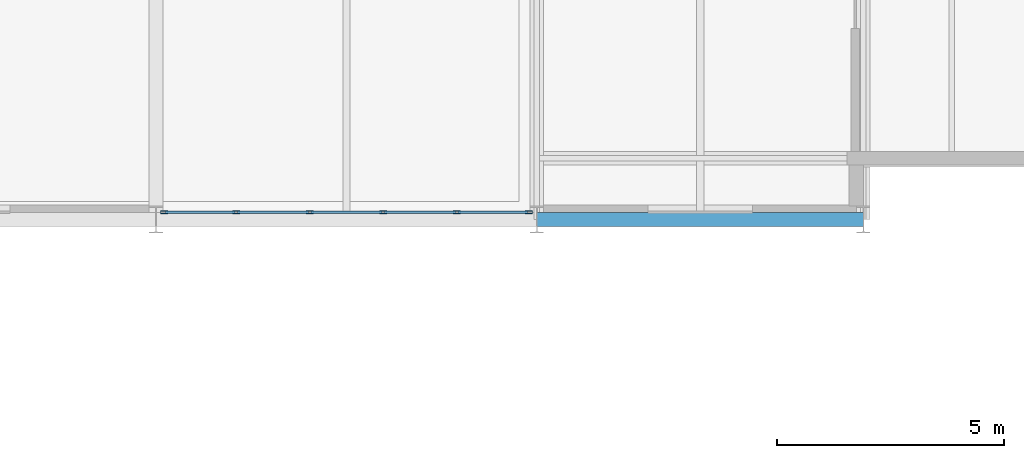
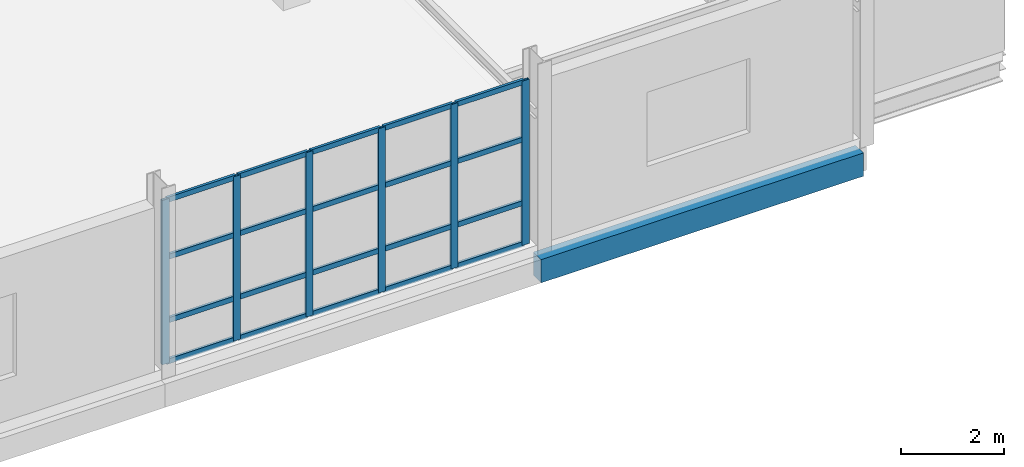
# One storey, part 81 of 130: 26 members, 1 beam, 1 element without a shape of its own.
"""IFC4 building model written with IfcOpenShell, lengths in metres."""

from ifc_helpers import new_model, si_unit, direction, frame, origin, origin_2d, place, context, subcontext, project, spatial, rectangle, hollow_rectangle, extrude, material, material_profile, profile_set, type_object, element, aggregate, save


model = new_model("IFC4")

# Units and contexts
model_context = context("Model", 3, precision=1e-05, world=origin(), true_north=direction((0.0, 1.0)))
body_context = subcontext(model_context, "Body", "Model", "MODEL_VIEW")
ifc_project = project(units=[si_unit("LENGTHUNIT", "METRE"), si_unit("AREAUNIT", "SQUARE_METRE"), si_unit("VOLUMEUNIT", "CUBIC_METRE"), si_unit("PLANEANGLEUNIT", "RADIAN"), si_unit("MASSUNIT", "GRAM", prefix="KILO")], contexts=[model_context])

# Site, building, storey
site_placement = place(None, origin())
site = spatial("IfcSite", under=ifc_project, at=site_placement, CompositionType="ELEMENT")
building_placement = place(site_placement, origin())
building = spatial("IfcBuilding", under=site, at=building_placement, Name="Veltarok Museum of Natural Sciences", CompositionType="ELEMENT")
storey_placement = place(building_placement, frame((0.0, 0.0, 12.89990234375)))
storey = spatial("IfcBuildingStorey", under=building, at=storey_placement, Name="L02", CompositionType="ELEMENT", Elevation=12.89990234375)

# Curtain wall, members
ifc_material_1 = material(Name="Low-iron triple insulated glass", Category="glass")
curtain_wall_type = type_object("IfcCurtainWallType", Name="Curtain Wall System CW-V5S-L02-18-810x388 (V5 South Lab Curtain Wall L02 18-19 810x388cm)", PredefinedType="NOTDEFINED", material=ifc_material_1)
curtain_wall_placement = place(storey_placement, origin())
curtain_wall = element("IfcCurtainWall", 1, at=curtain_wall_placement, inside=storey, type_object=curtain_wall_type, Name="Curtain Wall CW-V5S-L02-18-810x388 CW-0093", PredefinedType="NOTDEFINED")
ifc_material_2 = material(Name="Thermally broken anodised aluminium", Category="aluminium")
ifc_material_profile_1 = material_profile(ifc_material_2, hollow_rectangle(XDim=0.06005859375, YDim=0.1201171875, WallThickness=0.0048828125, at=origin_2d()), Name="CW TRANSOM 60x120x5")
ifc_profile_set_1 = profile_set([ifc_material_profile_1], Name="Thermally broken anodised aluminium")
member_type_1 = type_object("IfcMemberType", Name="Curtain Wall Horizontal Transom 60x120x5", PredefinedType="USERDEFINED", material=ifc_profile_set_1)
member_1_placement = place(storey_placement, frame((149.409912109375, 0.159912109375, 0.030029296875), z_axis=(1.0, 0.0, 0.0), x_axis=(0.0, 1.0, 0.0)))
member_1 = element("IfcMember", 2, at=member_1_placement, type_object=member_type_1, Name="CW-V5S-L02-18-810x388 transom 1.1", ObjectType="TRANSOM", PredefinedType="USERDEFINED", context=body_context, shape_type="SweptSolid", body=[
    extrude(hollow_rectangle(XDim=0.06005859375, YDim=0.1201171875, WallThickness=0.0048828125, at=origin_2d()), origin(), (0.0, 0.0, 1.0), 1.530029296875),
])
member_2_placement = place(storey_placement, frame((149.409912109375, 0.159912109375, 1.0), z_axis=(1.0, 0.0, 0.0), x_axis=(0.0, 1.0, 0.0)))
member_2 = element("IfcMember", 3, at=member_2_placement, type_object=member_type_1, Name="CW-V5S-L02-18-810x388 transom 1.2", ObjectType="TRANSOM", PredefinedType="USERDEFINED", context=body_context, shape_type="SweptSolid", body=[
    extrude(hollow_rectangle(XDim=0.06005859375, YDim=0.1201171875, WallThickness=0.0048828125, at=origin_2d()), origin(), (0.0, 0.0, 1.0), 1.530029296875),
])
member_3_placement = place(storey_placement, frame((149.409912109375, 0.159912109375, 2.5), z_axis=(1.0, 0.0, 0.0), x_axis=(0.0, 1.0, 0.0)))
member_3 = element("IfcMember", 4, at=member_3_placement, type_object=member_type_1, Name="CW-V5S-L02-18-810x388 transom 1.3", ObjectType="TRANSOM", PredefinedType="USERDEFINED", context=body_context, shape_type="SweptSolid", body=[
    extrude(hollow_rectangle(XDim=0.06005859375, YDim=0.1201171875, WallThickness=0.0048828125, at=origin_2d()), origin(), (0.0, 0.0, 1.0), 1.530029296875),
])
member_4_placement = place(storey_placement, frame((149.409912109375, 0.159912109375, 3.85009765625), z_axis=(1.0, 0.0, 0.0), x_axis=(0.0, 1.0, 0.0)))
member_4 = element("IfcMember", 5, at=member_4_placement, type_object=member_type_1, Name="CW-V5S-L02-18-810x388 transom 1.4", ObjectType="TRANSOM", PredefinedType="USERDEFINED", context=body_context, shape_type="SweptSolid", body=[
    extrude(hollow_rectangle(XDim=0.06005859375, YDim=0.1201171875, WallThickness=0.0048828125, at=origin_2d()), origin(), (0.0, 0.0, 1.0), 1.530029296875),
])
member_5_placement = place(storey_placement, frame((151.0, 0.159912109375, 0.030029296875), z_axis=(1.0, 0.0, 0.0), x_axis=(0.0, 1.0, 0.0)))
member_5 = element("IfcMember", 6, at=member_5_placement, type_object=member_type_1, Name="CW-V5S-L02-18-810x388 transom 2.1", ObjectType="TRANSOM", PredefinedType="USERDEFINED", context=body_context, shape_type="SweptSolid", body=[
    extrude(hollow_rectangle(XDim=0.06005859375, YDim=0.1201171875, WallThickness=0.0048828125, at=origin_2d()), origin(), (0.0, 0.0, 1.0), 1.56005859375),
])
member_6_placement = place(storey_placement, frame((151.0, 0.159912109375, 1.0), z_axis=(1.0, 0.0, 0.0), x_axis=(0.0, 1.0, 0.0)))
member_6 = element("IfcMember", 7, at=member_6_placement, type_object=member_type_1, Name="CW-V5S-L02-18-810x388 transom 2.2", ObjectType="TRANSOM", PredefinedType="USERDEFINED", context=body_context, shape_type="SweptSolid", body=[
    extrude(hollow_rectangle(XDim=0.06005859375, YDim=0.1201171875, WallThickness=0.0048828125, at=origin_2d()), origin(), (0.0, 0.0, 1.0), 1.56005859375),
])
member_7_placement = place(storey_placement, frame((151.0, 0.159912109375, 2.5), z_axis=(1.0, 0.0, 0.0), x_axis=(0.0, 1.0, 0.0)))
member_7 = element("IfcMember", 8, at=member_7_placement, type_object=member_type_1, Name="CW-V5S-L02-18-810x388 transom 2.3", ObjectType="TRANSOM", PredefinedType="USERDEFINED", context=body_context, shape_type="SweptSolid", body=[
    extrude(hollow_rectangle(XDim=0.06005859375, YDim=0.1201171875, WallThickness=0.0048828125, at=origin_2d()), origin(), (0.0, 0.0, 1.0), 1.56005859375),
])
member_8_placement = place(storey_placement, frame((151.0, 0.159912109375, 3.85009765625), z_axis=(1.0, 0.0, 0.0), x_axis=(0.0, 1.0, 0.0)))
member_8 = element("IfcMember", 9, at=member_8_placement, type_object=member_type_1, Name="CW-V5S-L02-18-810x388 transom 2.4", ObjectType="TRANSOM", PredefinedType="USERDEFINED", context=body_context, shape_type="SweptSolid", body=[
    extrude(hollow_rectangle(XDim=0.06005859375, YDim=0.1201171875, WallThickness=0.0048828125, at=origin_2d()), origin(), (0.0, 0.0, 1.0), 1.56005859375),
])
member_9_placement = place(storey_placement, frame((152.6201171875, 0.159912109375, 0.030029296875), z_axis=(1.0, 0.0, 0.0), x_axis=(0.0, 1.0, 0.0)))
member_9 = element("IfcMember", 10, at=member_9_placement, type_object=member_type_1, Name="CW-V5S-L02-18-810x388 transom 3.1", ObjectType="TRANSOM", PredefinedType="USERDEFINED", context=body_context, shape_type="SweptSolid", body=[
    extrude(hollow_rectangle(XDim=0.06005859375, YDim=0.1201171875, WallThickness=0.0048828125, at=origin_2d()), origin(), (0.0, 0.0, 1.0), 1.559814453125),
])
member_10_placement = place(storey_placement, frame((152.6201171875, 0.159912109375, 1.0), z_axis=(1.0, 0.0, 0.0), x_axis=(0.0, 1.0, 0.0)))
member_10 = element("IfcMember", 11, at=member_10_placement, type_object=member_type_1, Name="CW-V5S-L02-18-810x388 transom 3.2", ObjectType="TRANSOM", PredefinedType="USERDEFINED", context=body_context, shape_type="SweptSolid", body=[
    extrude(hollow_rectangle(XDim=0.06005859375, YDim=0.1201171875, WallThickness=0.0048828125, at=origin_2d()), origin(), (0.0, 0.0, 1.0), 1.559814453125),
])
member_11_placement = place(storey_placement, frame((152.6201171875, 0.159912109375, 2.5), z_axis=(1.0, 0.0, 0.0), x_axis=(0.0, 1.0, 0.0)))
member_11 = element("IfcMember", 12, at=member_11_placement, type_object=member_type_1, Name="CW-V5S-L02-18-810x388 transom 3.3", ObjectType="TRANSOM", PredefinedType="USERDEFINED", context=body_context, shape_type="SweptSolid", body=[
    extrude(hollow_rectangle(XDim=0.06005859375, YDim=0.1201171875, WallThickness=0.0048828125, at=origin_2d()), origin(), (0.0, 0.0, 1.0), 1.559814453125),
])
member_12_placement = place(storey_placement, frame((152.6201171875, 0.159912109375, 3.85009765625), z_axis=(1.0, 0.0, 0.0), x_axis=(0.0, 1.0, 0.0)))
member_12 = element("IfcMember", 13, at=member_12_placement, type_object=member_type_1, Name="CW-V5S-L02-18-810x388 transom 3.4", ObjectType="TRANSOM", PredefinedType="USERDEFINED", context=body_context, shape_type="SweptSolid", body=[
    extrude(hollow_rectangle(XDim=0.06005859375, YDim=0.1201171875, WallThickness=0.0048828125, at=origin_2d()), origin(), (0.0, 0.0, 1.0), 1.559814453125),
])
member_13_placement = place(storey_placement, frame((154.239990234375, 0.159912109375, 0.030029296875), z_axis=(1.0, 0.0, 0.0), x_axis=(0.0, 1.0, 0.0)))
member_13 = element("IfcMember", 14, at=member_13_placement, type_object=member_type_1, Name="CW-V5S-L02-18-810x388 transom 4.1", ObjectType="TRANSOM", PredefinedType="USERDEFINED", context=body_context, shape_type="SweptSolid", body=[
    extrude(hollow_rectangle(XDim=0.06005859375, YDim=0.1201171875, WallThickness=0.0048828125, at=origin_2d()), origin(), (0.0, 0.0, 1.0), 1.56005859375),
])
member_14_placement = place(storey_placement, frame((154.239990234375, 0.159912109375, 1.0), z_axis=(1.0, 0.0, 0.0), x_axis=(0.0, 1.0, 0.0)))
member_14 = element("IfcMember", 15, at=member_14_placement, type_object=member_type_1, Name="CW-V5S-L02-18-810x388 transom 4.2", ObjectType="TRANSOM", PredefinedType="USERDEFINED", context=body_context, shape_type="SweptSolid", body=[
    extrude(hollow_rectangle(XDim=0.06005859375, YDim=0.1201171875, WallThickness=0.0048828125, at=origin_2d()), origin(), (0.0, 0.0, 1.0), 1.56005859375),
])
member_15_placement = place(storey_placement, frame((154.239990234375, 0.159912109375, 2.5), z_axis=(1.0, 0.0, 0.0), x_axis=(0.0, 1.0, 0.0)))
member_15 = element("IfcMember", 16, at=member_15_placement, type_object=member_type_1, Name="CW-V5S-L02-18-810x388 transom 4.3", ObjectType="TRANSOM", PredefinedType="USERDEFINED", context=body_context, shape_type="SweptSolid", body=[
    extrude(hollow_rectangle(XDim=0.06005859375, YDim=0.1201171875, WallThickness=0.0048828125, at=origin_2d()), origin(), (0.0, 0.0, 1.0), 1.56005859375),
])
member_16_placement = place(storey_placement, frame((154.239990234375, 0.159912109375, 3.85009765625), z_axis=(1.0, 0.0, 0.0), x_axis=(0.0, 1.0, 0.0)))
member_16 = element("IfcMember", 17, at=member_16_placement, type_object=member_type_1, Name="CW-V5S-L02-18-810x388 transom 4.4", ObjectType="TRANSOM", PredefinedType="USERDEFINED", context=body_context, shape_type="SweptSolid", body=[
    extrude(hollow_rectangle(XDim=0.06005859375, YDim=0.1201171875, WallThickness=0.0048828125, at=origin_2d()), origin(), (0.0, 0.0, 1.0), 1.56005859375),
])
member_17_placement = place(storey_placement, frame((155.860107421875, 0.159912109375, 0.030029296875), z_axis=(1.0, 0.0, 0.0), x_axis=(0.0, 1.0, 0.0)))
member_17 = element("IfcMember", 18, at=member_17_placement, type_object=member_type_1, Name="CW-V5S-L02-18-810x388 transom 5.1", ObjectType="TRANSOM", PredefinedType="USERDEFINED", context=body_context, shape_type="SweptSolid", body=[
    extrude(hollow_rectangle(XDim=0.06005859375, YDim=0.1201171875, WallThickness=0.0048828125, at=origin_2d()), origin(), (0.0, 0.0, 1.0), 1.52978515625),
])
member_18_placement = place(storey_placement, frame((155.860107421875, 0.159912109375, 1.0), z_axis=(1.0, 0.0, 0.0), x_axis=(0.0, 1.0, 0.0)))
member_18 = element("IfcMember", 19, at=member_18_placement, type_object=member_type_1, Name="CW-V5S-L02-18-810x388 transom 5.2", ObjectType="TRANSOM", PredefinedType="USERDEFINED", context=body_context, shape_type="SweptSolid", body=[
    extrude(hollow_rectangle(XDim=0.06005859375, YDim=0.1201171875, WallThickness=0.0048828125, at=origin_2d()), origin(), (0.0, 0.0, 1.0), 1.52978515625),
])
member_19_placement = place(storey_placement, frame((155.860107421875, 0.159912109375, 2.5), z_axis=(1.0, 0.0, 0.0), x_axis=(0.0, 1.0, 0.0)))
member_19 = element("IfcMember", 20, at=member_19_placement, type_object=member_type_1, Name="CW-V5S-L02-18-810x388 transom 5.3", ObjectType="TRANSOM", PredefinedType="USERDEFINED", context=body_context, shape_type="SweptSolid", body=[
    extrude(hollow_rectangle(XDim=0.06005859375, YDim=0.1201171875, WallThickness=0.0048828125, at=origin_2d()), origin(), (0.0, 0.0, 1.0), 1.52978515625),
])
member_20_placement = place(storey_placement, frame((155.860107421875, 0.159912109375, 3.85009765625), z_axis=(1.0, 0.0, 0.0), x_axis=(0.0, 1.0, 0.0)))
member_20 = element("IfcMember", 21, at=member_20_placement, type_object=member_type_1, Name="CW-V5S-L02-18-810x388 transom 5.4", ObjectType="TRANSOM", PredefinedType="USERDEFINED", context=body_context, shape_type="SweptSolid", body=[
    extrude(hollow_rectangle(XDim=0.06005859375, YDim=0.1201171875, WallThickness=0.0048828125, at=origin_2d()), origin(), (0.0, 0.0, 1.0), 1.52978515625),
])
ifc_material_profile_2 = material_profile(ifc_material_2, hollow_rectangle(XDim=0.06005859375, YDim=0.159912109375, WallThickness=0.0048828125, at=origin_2d()), Name="CW MULLION 60x160x5")
ifc_profile_set_2 = profile_set([ifc_material_profile_2], Name="Thermally broken anodised aluminium")
member_type_2 = type_object("IfcMemberType", Name="Curtain Wall Vertical Mullion 60x160x5", PredefinedType="MULLION", material=ifc_profile_set_2)
member_21_placement = place(storey_placement, frame((149.3798828125, 0.159912109375, 0.0), z_axis=(0.0, 0.0, 1.0), x_axis=(0.0, 1.0, 0.0)))
member_21 = element("IfcMember", 22, at=member_21_placement, type_object=member_type_2, Name="CW-V5S-L02-18-810x388 mullion 1", PredefinedType="MULLION", context=body_context, shape_type="SweptSolid", body=[
    extrude(hollow_rectangle(XDim=0.06005859375, YDim=0.159912109375, WallThickness=0.0048828125, at=origin_2d()), origin(), (0.0, 0.0, 1.0), 3.880126953125),
])
member_22_placement = place(storey_placement, frame((150.969970703125, 0.159912109375, 0.0), z_axis=(0.0, 0.0, 1.0), x_axis=(0.0, 1.0, 0.0)))
member_22 = element("IfcMember", 23, at=member_22_placement, type_object=member_type_2, Name="CW-V5S-L02-18-810x388 mullion 2", PredefinedType="MULLION", context=body_context, shape_type="SweptSolid", body=[
    extrude(hollow_rectangle(XDim=0.06005859375, YDim=0.159912109375, WallThickness=0.0048828125, at=origin_2d()), origin(), (0.0, 0.0, 1.0), 3.880126953125),
])
member_23_placement = place(storey_placement, frame((152.590087890625, 0.159912109375, 0.0), z_axis=(0.0, 0.0, 1.0), x_axis=(0.0, 1.0, 0.0)))
member_23 = element("IfcMember", 24, at=member_23_placement, type_object=member_type_2, Name="CW-V5S-L02-18-810x388 mullion 3", PredefinedType="MULLION", context=body_context, shape_type="SweptSolid", body=[
    extrude(hollow_rectangle(XDim=0.06005859375, YDim=0.159912109375, WallThickness=0.0048828125, at=origin_2d()), origin(), (0.0, 0.0, 1.0), 3.880126953125),
])
member_24_placement = place(storey_placement, frame((154.2099609375, 0.159912109375, 0.0), z_axis=(0.0, 0.0, 1.0), x_axis=(0.0, 1.0, 0.0)))
member_24 = element("IfcMember", 25, at=member_24_placement, type_object=member_type_2, Name="CW-V5S-L02-18-810x388 mullion 4", PredefinedType="MULLION", context=body_context, shape_type="SweptSolid", body=[
    extrude(hollow_rectangle(XDim=0.06005859375, YDim=0.159912109375, WallThickness=0.0048828125, at=origin_2d()), origin(), (0.0, 0.0, 1.0), 3.880126953125),
])
member_25_placement = place(storey_placement, frame((155.830078125, 0.159912109375, 0.0), z_axis=(0.0, 0.0, 1.0), x_axis=(0.0, 1.0, 0.0)))
member_25 = element("IfcMember", 26, at=member_25_placement, type_object=member_type_2, Name="CW-V5S-L02-18-810x388 mullion 5", PredefinedType="MULLION", context=body_context, shape_type="SweptSolid", body=[
    extrude(hollow_rectangle(XDim=0.06005859375, YDim=0.159912109375, WallThickness=0.0048828125, at=origin_2d()), origin(), (0.0, 0.0, 1.0), 3.880126953125),
])
member_26_placement = place(storey_placement, frame((157.419921875, 0.159912109375, 0.0), z_axis=(0.0, 0.0, 1.0), x_axis=(0.0, 1.0, 0.0)))
member_26 = element("IfcMember", 27, at=member_26_placement, type_object=member_type_2, Name="CW-V5S-L02-18-810x388 mullion 6", PredefinedType="MULLION", context=body_context, shape_type="SweptSolid", body=[
    extrude(hollow_rectangle(XDim=0.06005859375, YDim=0.159912109375, WallThickness=0.0048828125, at=origin_2d()), origin(), (0.0, 0.0, 1.0), 3.880126953125),
])
aggregate(curtain_wall, [member_21, member_22, member_23, member_24, member_25, member_26, member_1, member_2, member_3, member_4, member_5, member_6, member_7, member_8, member_9, member_10, member_11, member_12, member_13, member_14, member_15, member_16, member_17, member_18, member_19, member_20])

# Beam
ifc_material_3 = material(Name="Precast concrete C40/50", Category="concrete")
ifc_material_profile_3 = material_profile(ifc_material_3, rectangle(XDim=0.300048828125, YDim=0.550048828125, at=origin_2d()), Name="RC 300x550")
ifc_profile_set_3 = profile_set([ifc_material_profile_3], Name="Precast concrete C40/50")
beam_type = type_object("IfcBeamType", Name="East Wing Precast Spandrel RC 300x550", PredefinedType="SPANDREL", material=ifc_profile_set_3)
beam_placement = place(storey_placement, frame((157.60009765625, 0.0, -0.52490234375), z_axis=(1.0, 0.0, 0.0), x_axis=(0.0, 1.0, 0.0)))
element("IfcBeam", 28, at=beam_placement, inside=storey, type_object=beam_type, Name="Beam BM-SP02 L02 19-20/A", PredefinedType="SPANDREL", context=body_context, shape_type="SweptSolid", body=[
    extrude(rectangle(XDim=0.300048828125, YDim=0.550048828125, at=origin_2d()), origin(), (0.0, 0.0, 1.0), 7.199951171875),
])

save(model, "model.ifc")
